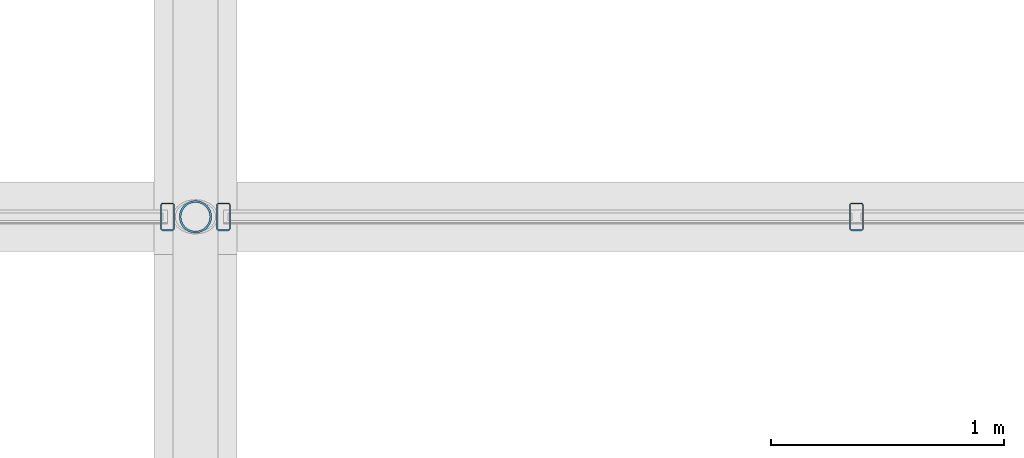
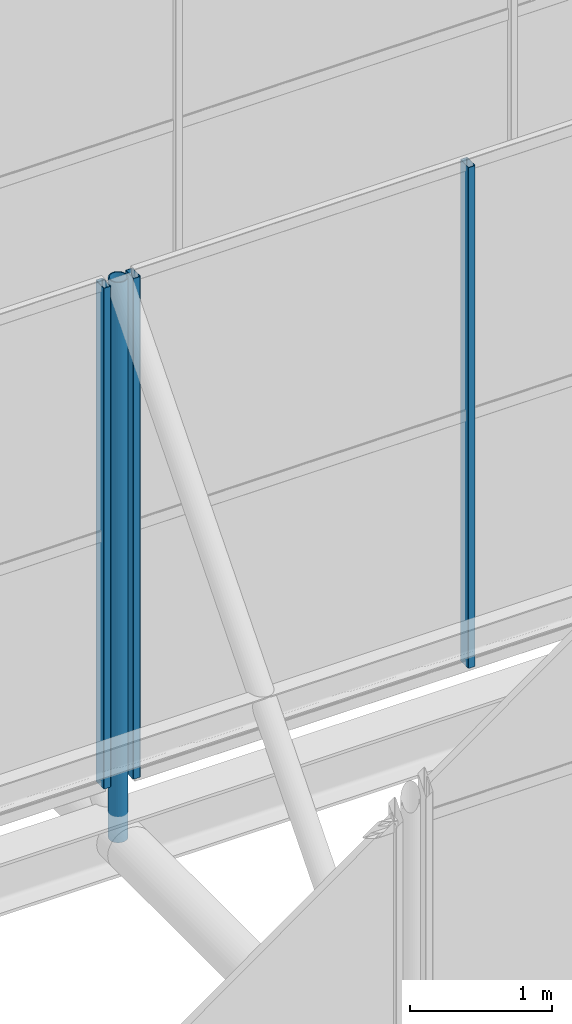
# One storey, part 29 of 77: 4 members, 2 elements without a shape of their own.
"""IFC4 building model written with IfcOpenShell, lengths in metres."""

from ifc_helpers import new_model, si_unit, derived_unit, direction, frame, origin, origin_2d, place, context, subcontext, project, spatial, hollow_rectangle, hollow_circle, extrude, material, material_profile, profile_set, type_object, element, aggregate, save


model = new_model("IFC4")

# Units and contexts
model_context = context("Model", 3, precision=1e-05, world=origin(), true_north=direction((0.0, 1.0)))
body_context = subcontext(model_context, "Body", "Model", "MODEL_VIEW")
ifc_project = project(units=[si_unit("LENGTHUNIT", "METRE"), si_unit("AREAUNIT", "SQUARE_METRE"), si_unit("VOLUMEUNIT", "CUBIC_METRE"), si_unit("PLANEANGLEUNIT", "RADIAN"), si_unit("MASSUNIT", "GRAM", prefix="KILO"), derived_unit("THERMALTRANSMITTANCEUNIT", [(si_unit("MASSUNIT", "GRAM", prefix="KILO"), 1), (si_unit("TIMEUNIT", "SECOND"), -3), (si_unit("THERMODYNAMICTEMPERATUREUNIT", "KELVIN"), -1)])], contexts=[model_context])

# Site, building, storey
site_placement = place(None, origin())
site = spatial("IfcSite", under=ifc_project, at=site_placement, CompositionType="ELEMENT")
building_placement = place(site_placement, origin())
building = spatial("IfcBuilding", under=site, at=building_placement, Name="Kharveza Railside Sports Centre", CompositionType="ELEMENT")
storey_placement = place(building_placement, frame((0.0, 0.0, 17.10009765625)))
storey = spatial("IfcBuildingStorey", under=building, at=storey_placement, Name="L04", CompositionType="ELEMENT", Elevation=17.10009765625)

# Curtain wall, member
ifc_material_1 = material(Name="Low-E solar-control laminated glass", Category="glass")
curtain_wall_type = type_object("IfcCurtainWallType", Name="CW-NL01", PredefinedType="NOTDEFINED", material=ifc_material_1)
curtain_wall_1_placement = place(storey_placement, origin())
curtain_wall_1 = element("IfcCurtainWall", 1, at=curtain_wall_1_placement, inside=storey, type_object=curtain_wall_type, Name="CW-V1NL-5-2", PredefinedType="NOTDEFINED")
ifc_material_2 = material(Name="Anodised aluminium 6063-T6", Category="aluminium")
ifc_material_profile_1 = material_profile(ifc_material_2, hollow_rectangle(XDim=0.06005859375, YDim=0.1201171875, WallThickness=0.0048828125, InnerFilletRadius=0.0048828125, OuterFilletRadius=0.010009765625, at=origin_2d()), Name="RHS 60x120x5.0")
ifc_profile_set_1 = profile_set([ifc_material_profile_1], Name="Anodised aluminium 6063-T6")
member_type_1 = type_object("IfcMemberType", Name="CW-ML05", PredefinedType="MULLION", material=ifc_profile_set_1)
member_1_placement = place(storey_placement, frame((50.280029296875, 56.5712890625, -0.550048828125), z_axis=(0.0, 0.0, 1.0), x_axis=(1.0, 0.0, 0.0)))
member_1 = element("IfcMember", 2, at=member_1_placement, type_object=member_type_1, Name="CW-V1NL-5-2-ML4", PredefinedType="MULLION", context=body_context, shape_type="SweptSolid", body=[
    extrude(hollow_rectangle(XDim=0.06005859375, YDim=0.1201171875, WallThickness=0.0048828125, InnerFilletRadius=0.0048828125, OuterFilletRadius=0.010009765625, at=origin_2d()), origin(), (0.0, 0.0, 1.0), 4.300048828125),
])
aggregate(curtain_wall_1, [member_1])

# Curtain wall, members
curtain_wall_2_placement = place(storey_placement, origin())
curtain_wall_2 = element("IfcCurtainWall", 3, at=curtain_wall_2_placement, inside=storey, type_object=curtain_wall_type, Name="CW-V1NL-5-3", PredefinedType="NOTDEFINED")
member_2_placement = place(storey_placement, frame((50.52001953125, 56.5712890625, -0.550048828125), z_axis=(0.0, 0.0, 1.0), x_axis=(1.0, 0.0, 0.0)))
member_2 = element("IfcMember", 4, at=member_2_placement, type_object=member_type_1, Name="CW-V1NL-5-3-ML1", PredefinedType="MULLION", context=body_context, shape_type="SweptSolid", body=[
    extrude(hollow_rectangle(XDim=0.06005859375, YDim=0.1201171875, WallThickness=0.0048828125, InnerFilletRadius=0.0048828125, OuterFilletRadius=0.010009765625, at=origin_2d()), origin(), (0.0, 0.0, 1.0), 4.300048828125),
])
member_3_placement = place(storey_placement, frame((53.239990234375, 56.5712890625, -0.550048828125), z_axis=(0.0, 0.0, 1.0), x_axis=(1.0, 0.0, 0.0)))
member_3 = element("IfcMember", 5, at=member_3_placement, type_object=member_type_1, Name="CW-V1NL-5-3-ML2", PredefinedType="MULLION", context=body_context, shape_type="SweptSolid", body=[
    extrude(hollow_rectangle(XDim=0.06005859375, YDim=0.1201171875, WallThickness=0.0048828125, InnerFilletRadius=0.0048828125, OuterFilletRadius=0.010009765625, at=origin_2d()), origin(), (0.0, 0.0, 1.0), 4.300048828125),
])
aggregate(curtain_wall_2, [member_2, member_3])

# Member
ifc_material_3 = material(Name="Steel S355J2", Category="steel")
ifc_material_profile_2 = material_profile(ifc_material_3, hollow_circle(Radius=0.06982421875, WallThickness=0.008056640625, at=origin_2d()), Name="CHS 139.7x8.0")
ifc_profile_set_2 = profile_set([ifc_material_profile_2], Name="Steel S355J2")
member_type_2 = type_object("IfcMemberType", Name="MB-ST04", PredefinedType="STRUT", material=ifc_profile_set_2)
member_4_placement = place(storey_placement, frame((50.39990234375, 56.5712890625, -1.050048828125), z_axis=(0.0, 0.0, 1.0), x_axis=(1.0, 0.0, 0.0)))
element("IfcMember", 6, at=member_4_placement, inside=storey, type_object=member_type_2, Name="MB-V1SAW-PST-5-3", PredefinedType="STRUT", context=body_context, shape_type="SweptSolid", body=[
    extrude(hollow_circle(Radius=0.06982421875, WallThickness=0.008056640625, at=origin_2d()), origin(), (0.0, 0.0, 1.0), 4.81005859375),
])

save(model, "model.ifc")
